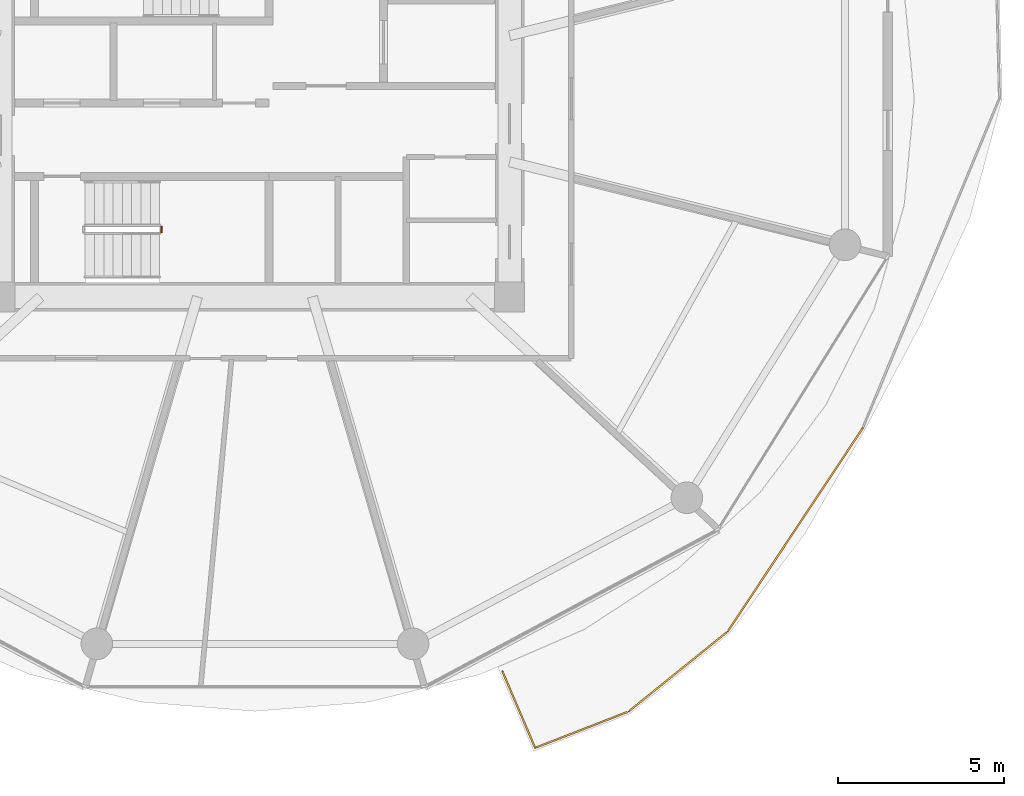
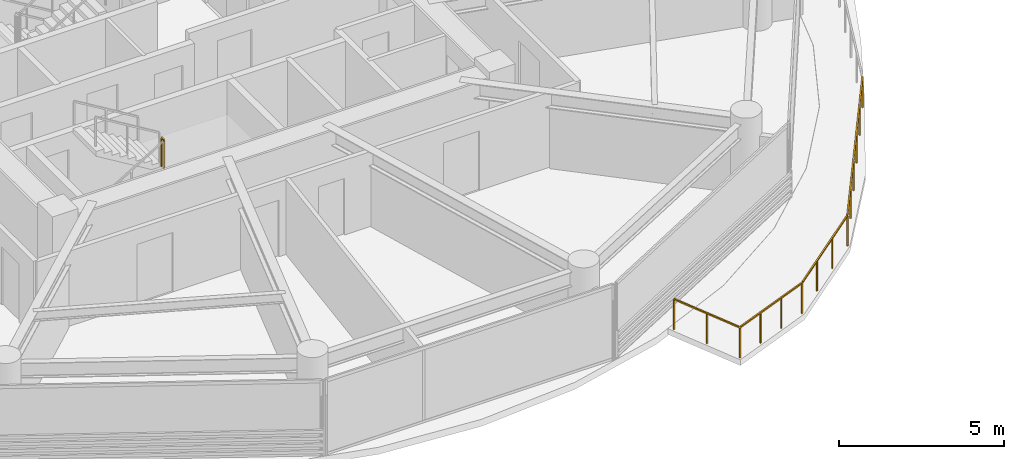
# One storey, part 23 of 27: 2 railings.
"""IFC4 building model written with IfcOpenShell, lengths in metres."""

from ifc_helpers import new_model, si_unit, direction, frame, origin, origin_2d, place, context, subcontext, project, spatial, rectangle, extrude, material, type_object, element, save


model = new_model("IFC4")

# Units and contexts
model_context = context("Model", 3, precision=1e-05, world=origin(), true_north=direction((0.0, 1.0)))
body_context = subcontext(model_context, "Body", "Model", "MODEL_VIEW")
ifc_project = project(units=[si_unit("LENGTHUNIT", "METRE"), si_unit("AREAUNIT", "SQUARE_METRE"), si_unit("VOLUMEUNIT", "CUBIC_METRE"), si_unit("PLANEANGLEUNIT", "RADIAN"), si_unit("MASSUNIT", "GRAM", prefix="KILO")], contexts=[model_context])

# Site, building, storey
site_placement = place(None, origin())
site = spatial("IfcSite", under=ifc_project, at=site_placement, CompositionType="ELEMENT")
building_placement = place(site_placement, origin())
building = spatial("IfcBuilding", under=site, at=building_placement, Name="Norrkilde Senior Care Towers", CompositionType="ELEMENT")
storey_placement = place(building_placement, frame((0.0, 0.0, 58.199951171875)))
storey = spatial("IfcBuildingStorey", under=building, at=storey_placement, Name="L17", CompositionType="ELEMENT", Elevation=58.199951171875)

# Railings
ifc_material_1 = material(Name="Anodised Aluminium", Category="aluminium")
railing_type_1 = type_object("IfcRailingType", Name="Balcony Swirl Ribbon Guardrail 1150", PredefinedType="GUARDRAIL", material=ifc_material_1)
railing_1_placement = place(storey_placement, frame((-9.743896484375, -9.893798828125, 0.0)))
element("IfcRailing", 1, at=railing_1_placement, inside=storey, type_object=railing_type_1, Name="L17 Perimeter Safety Guard 03", PredefinedType="GUARDRAIL", context=body_context, shape_type="SweptSolid", body=[
    extrude(rectangle(XDim=0.048095703125, YDim=0.048095703125, at=origin_2d()), frame((0.0, 0.0, 1.1259765625), z_axis=(-0.553231698586, -0.833027423126, 0.0), x_axis=(0.833027423126, -0.553231698586, 0.0)), (0.0, 0.0, 1.0), 7.291259765625),
    extrude(rectangle(XDim=0.048095703125, YDim=0.048095703125, at=origin_2d()), frame((-4.088134765625, -6.133544921875, 1.1259765625), z_axis=(-0.778091100564, -0.628151446089, 0.0), x_axis=(0.628151446089, -0.778091100564, 0.0)), (0.0, 0.0, 1.0), 3.74462890625),
    extrude(rectangle(XDim=0.048095703125, YDim=0.048095703125, at=origin_2d()), frame((-7.07177734375, -8.5263671875, 1.1259765625), z_axis=(-0.931919436993, -0.362665359463, 0.0), x_axis=(0.362665359463, -0.931919436993, 0.0)), (0.0, 0.0, 1.0), 2.929443359375),
    extrude(rectangle(XDim=0.048095703125, YDim=0.048095703125, at=origin_2d()), frame((-9.85595703125, -9.56591796875, 1.1259765625), z_axis=(-0.392786932468, 0.919629504574, 0.0), x_axis=(-0.919629504574, -0.392786932468, 0.0)), (0.0, 0.0, 1.0), 2.457763671875),
    extrude(rectangle(XDim=0.0419921875, YDim=0.0419921875, at=origin_2d()), origin(), (0.0, 0.0, 1.0), 1.099853515625),
    extrude(rectangle(XDim=0.0419921875, YDim=0.0419921875, at=origin_2d()), frame((-0.811279296875, -1.2216796875, 0.0)), (0.0, 0.0, 1.0), 1.099853515625),
    extrude(rectangle(XDim=0.0419921875, YDim=0.0419921875, at=origin_2d()), frame((-1.62255859375, -2.443115234375, 0.0)), (0.0, 0.0, 1.0), 1.099853515625),
    extrude(rectangle(XDim=0.0419921875, YDim=0.0419921875, at=origin_2d()), frame((-2.433837890625, -3.664794921875, 0.0)), (0.0, 0.0, 1.0), 1.099853515625),
    extrude(rectangle(XDim=0.0419921875, YDim=0.0419921875, at=origin_2d()), frame((-3.2451171875, -4.88623046875, 0.0)), (0.0, 0.0, 1.0), 1.099853515625),
    extrude(rectangle(XDim=0.0419921875, YDim=0.0419921875, at=origin_2d()), frame((-4.056396484375, -6.10791015625, 0.0)), (0.0, 0.0, 1.0), 1.099853515625),
    extrude(rectangle(XDim=0.0419921875, YDim=0.0419921875, at=origin_2d()), frame((-5.048828125, -6.9091796875, 0.0)), (0.0, 0.0, 1.0), 1.099853515625),
    extrude(rectangle(XDim=0.0419921875, YDim=0.0419921875, at=origin_2d()), frame((-6.041259765625, -7.710205078125, 0.0)), (0.0, 0.0, 1.0), 1.099853515625),
    extrude(rectangle(XDim=0.0419921875, YDim=0.0419921875, at=origin_2d()), frame((-7.03369140625, -8.511474609375, 0.0)), (0.0, 0.0, 1.0), 1.099853515625),
    extrude(rectangle(XDim=0.0419921875, YDim=0.0419921875, at=origin_2d()), frame((-7.968994140625, -8.87548828125, 0.0)), (0.0, 0.0, 1.0), 1.099853515625),
    extrude(rectangle(XDim=0.0419921875, YDim=0.0419921875, at=origin_2d()), frame((-8.904541015625, -9.239501953125, 0.0)), (0.0, 0.0, 1.0), 1.099853515625),
    extrude(rectangle(XDim=0.0419921875, YDim=0.0419921875, at=origin_2d()), frame((-9.83984375, -9.603515625, 0.0)), (0.0, 0.0, 1.0), 1.099853515625),
    extrude(rectangle(XDim=0.0419921875, YDim=0.0419921875, at=origin_2d()), frame((-10.33056640625, -8.45458984375, 0.0)), (0.0, 0.0, 1.0), 1.099853515625),
    extrude(rectangle(XDim=0.0419921875, YDim=0.0419921875, at=origin_2d()), frame((-10.8212890625, -7.3056640625, 0.0)), (0.0, 0.0, 1.0), 1.099853515625),
])
ifc_material_2 = material(Name="Stainless Steel", Category="steel")
railing_type_2 = type_object("IfcRailingType", Name="Stair and Terrace Guardrail 1100", PredefinedType="GUARDRAIL", material=ifc_material_2)
railing_2_placement = place(storey_placement, frame((-30.81005859375, -4.0, 1.525146484375)))
element("IfcRailing", 2, at=railing_2_placement, inside=storey, type_object=railing_type_2, Name="L17 ST-W2 stair guard 2", PredefinedType="GUARDRAIL", context=body_context, shape_type="SweptSolid", body=[
    extrude(rectangle(XDim=0.048095703125, YDim=0.048095703125, at=origin_2d()), frame((0.0, 0.0, 1.076171875), z_axis=(0.0, 1.0, 0.0), x_axis=(-1.0, 0.0, 0.0)), (0.0, 0.0, 1.0), 0.14990234375),
    extrude(rectangle(XDim=0.0419921875, YDim=0.0419921875, at=origin_2d()), origin(), (0.0, 0.0, 1.0), 1.050048828125),
    extrude(rectangle(XDim=0.0419921875, YDim=0.0419921875, at=origin_2d()), frame((0.0, 0.14990234375, 0.0)), (0.0, 0.0, 1.0), 1.050048828125),
])

save(model, "model.ifc")
